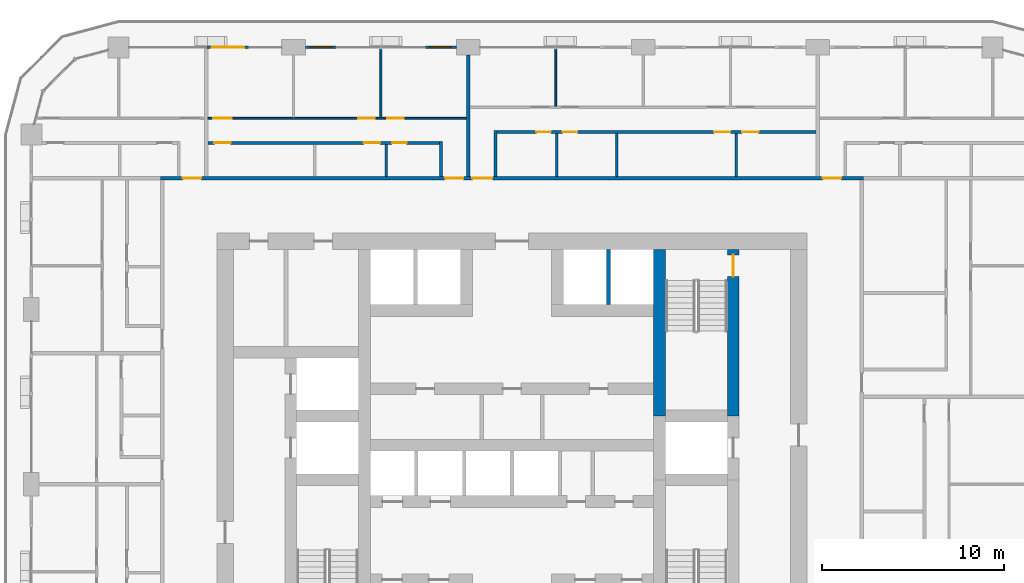
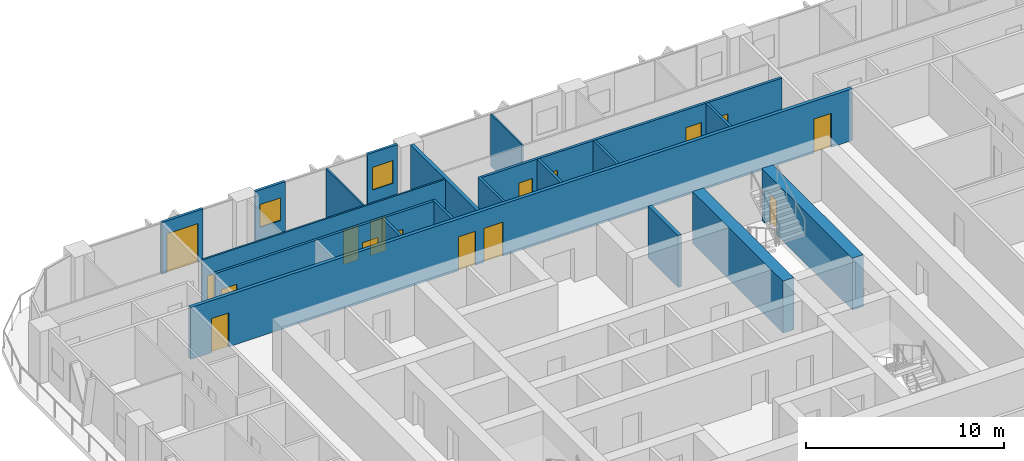
# One storey, part 14 of 22: 19 walls, 16 doors, 2 windows, 18 openings.
"""IFC4 building model written with IfcOpenShell, lengths in metres."""

from ifc_helpers import new_model, si_unit, direction, frame, frame_2d, origin, place, context, subcontext, project, spatial, rectangle, extrude, material, layer, layer_set, type_object, element, fill, save


model = new_model("IFC4")

# Units and contexts
model_context = context("Model", 3, precision=1e-05, world=origin(), true_north=direction((0.0, 1.0)))
body_context = subcontext(model_context, "Body", "Model", "MODEL_VIEW")
ifc_project = project(units=[si_unit("LENGTHUNIT", "METRE"), si_unit("AREAUNIT", "SQUARE_METRE"), si_unit("VOLUMEUNIT", "CUBIC_METRE"), si_unit("PLANEANGLEUNIT", "RADIAN"), si_unit("MASSUNIT", "GRAM", prefix="KILO")], contexts=[model_context])

# Site, building, storey
site_placement = place(None, origin())
site = spatial("IfcSite", under=ifc_project, at=site_placement, CompositionType="ELEMENT")
building_placement = place(site_placement, origin())
building = spatial("IfcBuilding", under=site, at=building_placement, Name="Madar Terraces", CompositionType="ELEMENT")
storey_placement = place(building_placement, frame((0.0, 0.0, 66.300048828125)))
storey = spatial("IfcBuildingStorey", under=building, at=storey_placement, Name="L16", CompositionType="ELEMENT", Elevation=66.300048828125)

# Wall
ifc_material_1 = material(Name="Concrete C80/95", Category="concrete")
ifc_layer_1 = layer(ifc_material_1, 0.64990234375)
ifc_layer_set_1 = layer_set([ifc_layer_1], Name="Concrete C80/95 (CIW2 RC wall 650)")
wall_type_1 = type_object("IfcWallType", Name="CIW2 RC wall 650", PredefinedType="SHEAR", material=ifc_layer_set_1)
wall_1_placement = place(storey_placement, frame((39.300048828125, 27.75, 0.0), z_axis=(0.0, 0.0, 1.0), x_axis=(0.0, 1.0, 0.0)))
element("IfcWall", 1, at=wall_1_placement, inside=storey, type_object=wall_type_1, Name="CORE SHAFT WALL", PredefinedType="SHEAR", context=body_context, shape_type="SweptSolid", body=[
    extrude(rectangle(XDim=9.14990234375, YDim=0.64990234375, at=frame_2d((4.574951171875, 0.0))), origin(), (0.0, 0.0, 1.0), 3.199951171875),
])

# Wall, opening, door
wall_2_placement = place(storey_placement, frame((43.35009765625, 27.75, 0.0), z_axis=(0.0, 0.0, 1.0), x_axis=(0.0, 1.0, 0.0)))
wall_2 = element("IfcWall", 2, at=wall_2_placement, inside=storey, type_object=wall_type_1, Name="CORE SHAFT WALL", PredefinedType="SHEAR", context=body_context, shape_type="SweptSolid", body=[
    extrude(rectangle(XDim=9.14990234375, YDim=0.64990234375, at=frame_2d((4.574951171875, 0.0))), origin(), (0.0, 0.0, 1.0), 3.199951171875),
])
opening_1_placement = place(wall_2_placement, frame((7.64990234375, 0.0, 0.0)))
opening_1 = element("IfcOpeningElement", 3, at=opening_1_placement, cuts=wall_2, Name="Opening SD1", PredefinedType="OPENING", context=body_context, shape_type="SweptSolid", body=[
    extrude(rectangle(XDim=1.199951171875, YDim=2.10009765625, at=frame_2d((0.60009765625, 1.050048828125))), frame((0.0, 0.3349609375, 0.0), z_axis=(0.0, -1.0, 0.0), x_axis=(1.0, 0.0, 0.0)), (0.0, 0.0, 1.0), 0.669921875),
])
ifc_material_2 = material(Name="Steel door leaf", Category="steel")
door_type_1 = type_object("IfcDoorType", Name="Stair door 1200 x 2100", OperationType="NOTDEFINED", PredefinedType="DOOR", material=ifc_material_2)
door_1_placement = place(opening_1_placement, origin())
door_1 = element("IfcDoor", 4, at=door_1_placement, inside=storey, type_object=door_type_1, Name="STAIR DOOR", OperationType="SINGLE_SWING_RIGHT", OverallHeight=2.10009765625, OverallWidth=1.199951171875, PredefinedType="DOOR", context=body_context, shape_type="SweptSolid", body=[
    extrude(rectangle(XDim=1.199951171875, YDim=2.10009765625, at=frame_2d((0.60009765625, 1.050048828125))), frame((0.0, 0.02490234375, 0.0), z_axis=(0.0, -1.0, 0.0), x_axis=(1.0, 0.0, 0.0)), (0.0, 0.0, 1.0), 0.050048828125),
])
fill(opening_1, door_1)

# Wall
ifc_material_3 = material(Name="Concrete C40/50", Category="concrete")
ifc_layer_2 = layer(ifc_material_3, 0.199951171875)
ifc_layer_set_2 = layer_set([ifc_layer_2], Name="Core shaft dividing wall 200 C40/50")
wall_type_2 = type_object("IfcWallType", Name="Core shaft dividing wall 200 C40/50", PredefinedType="SOLIDWALL", material=ifc_layer_set_2)
wall_3_placement = place(storey_placement, frame((36.5, 33.875, 0.0), z_axis=(0.0, 0.0, 1.0), x_axis=(0.0, 1.0, 0.0)))
element("IfcWall", 5, at=wall_3_placement, inside=storey, type_object=wall_type_2, Name="SHAFT DIVIDING WALL", PredefinedType="SOLIDWALL", context=body_context, shape_type="SweptSolid", body=[
    extrude(rectangle(XDim=3.02490234375, YDim=0.199951171875, at=frame_2d((1.512451171875, 0.0))), origin(), (0.0, 0.0, 1.0), 3.199951171875),
])

# Wall, opening, window
ifc_material_4 = material(Name="Aluminium composite panel, black, over insulated backing", Category="aluminium")
ifc_layer_3 = layer(ifc_material_4, 0.14990234375)
ifc_layer_set_3 = layer_set([ifc_layer_3], Name="Facade bay panel 150")
wall_type_3 = type_object("IfcWallType", Name="Facade bay panel 150", PredefinedType="SOLIDWALL", material=ifc_layer_set_3)
wall_4_placement = place(storey_placement, frame((28.14990234375, 48.0, 0.0), z_axis=(0.0, 0.0, 1.0), x_axis=(-1.0, 0.0, 0.0)))
wall_4 = element("IfcWall", 6, at=wall_4_placement, inside=storey, type_object=wall_type_3, Name="Facade bay panel", PredefinedType="SOLIDWALL", context=body_context, shape_type="SweptSolid", body=[
    extrude(rectangle(XDim=1.75, YDim=0.14990234375, at=frame_2d((0.875, 0.0))), origin(), (0.0, 0.0, 1.0), 3.199951171875),
])
opening_2_placement = place(wall_4_placement, frame((0.27490234375, 0.0, 0.89990234375)))
opening_2 = element("IfcOpeningElement", 7, at=opening_2_placement, cuts=wall_4, Name="Opening W1", PredefinedType="OPENING", context=body_context, shape_type="SweptSolid", body=[
    extrude(rectangle(XDim=1.199951171875, YDim=1.39990234375, at=frame_2d((0.60009765625, 0.699951171875))), frame((0.0, 0.0849609375, 0.0), z_axis=(0.0, -1.0, 0.0), x_axis=(1.0, 0.0, 0.0)), (0.0, 0.0, 1.0), 0.169921875),
])
ifc_material_5 = material(Name="Glass, clear, with black aluminium frame", Category="aluminium")
window_type = type_object("IfcWindowType", Name="Vent window 1200 x 1400", PartitioningType="SINGLE_PANEL", PredefinedType="WINDOW", material=ifc_material_5)
window_1_placement = place(opening_2_placement, origin())
window_1 = element("IfcWindow", 8, at=window_1_placement, inside=storey, type_object=window_type, Name="Operable vent window", OverallHeight=1.39990234375, OverallWidth=1.199951171875, PartitioningType="SINGLE_PANEL", PredefinedType="WINDOW", context=body_context, shape_type="SweptSolid", body=[
    extrude(rectangle(XDim=1.199951171875, YDim=1.39990234375, at=frame_2d((0.60009765625, 0.699951171875))), frame((0.0, 0.030029296875, 0.0), z_axis=(0.0, -1.0, 0.0), x_axis=(1.0, 0.0, 0.0)), (0.0, 0.0, 1.0), 0.06005859375),
])
fill(opening_2, window_1)

wall_5_placement = place(storey_placement, frame((21.60009765625, 48.0, 0.0), z_axis=(0.0, 0.0, 1.0), x_axis=(-1.0, 0.0, 0.0)))
wall_5 = element("IfcWall", 9, at=wall_5_placement, inside=storey, type_object=wall_type_3, Name="Facade bay panel", PredefinedType="SOLIDWALL", context=body_context, shape_type="SweptSolid", body=[
    extrude(rectangle(XDim=1.75, YDim=0.14990234375, at=frame_2d((0.875, 0.0))), origin(), (0.0, 0.0, 1.0), 3.199951171875),
])
opening_3_placement = place(wall_5_placement, frame((0.27490234375, 0.0, 0.89990234375)))
opening_3 = element("IfcOpeningElement", 10, at=opening_3_placement, cuts=wall_5, Name="Opening W1", PredefinedType="OPENING", context=body_context, shape_type="SweptSolid", body=[
    extrude(rectangle(XDim=1.199951171875, YDim=1.39990234375, at=frame_2d((0.60009765625, 0.699951171875))), frame((0.0, 0.0849609375, 0.0), z_axis=(0.0, -1.0, 0.0), x_axis=(1.0, 0.0, 0.0)), (0.0, 0.0, 1.0), 0.169921875),
])
window_2_placement = place(opening_3_placement, origin())
window_2 = element("IfcWindow", 11, at=window_2_placement, inside=storey, type_object=window_type, Name="Operable vent window", OverallHeight=1.39990234375, OverallWidth=1.199951171875, PartitioningType="SINGLE_PANEL", PredefinedType="WINDOW", context=body_context, shape_type="SweptSolid", body=[
    extrude(rectangle(XDim=1.199951171875, YDim=1.39990234375, at=frame_2d((0.60009765625, 0.699951171875))), frame((0.0, 0.030029296875, 0.0), z_axis=(0.0, -1.0, 0.0), x_axis=(1.0, 0.0, 0.0)), (0.0, 0.0, 1.0), 0.06005859375),
])
fill(opening_3, window_2)

# Wall, opening, door
wall_6_placement = place(storey_placement, frame((16.800048828125, 48.0, 0.0), z_axis=(0.0, 0.0, 1.0), x_axis=(-1.0, 0.0, 0.0)))
wall_6 = element("IfcWall", 12, at=wall_6_placement, inside=storey, type_object=wall_type_3, Name="Facade bay panel", PredefinedType="SOLIDWALL", context=body_context, shape_type="SweptSolid", body=[
    extrude(rectangle(XDim=2.400146484375, YDim=0.14990234375, at=frame_2d((1.2001953125, 0.0))), origin(), (0.0, 0.0, 1.0), 3.199951171875),
])
opening_4_placement = place(wall_6_placement, frame((0.300048828125, 0.0, 0.0)))
opening_4 = element("IfcOpeningElement", 13, at=opening_4_placement, cuts=wall_6, Name="Opening ED1", PredefinedType="OPENING", context=body_context, shape_type="SweptSolid", body=[
    extrude(rectangle(XDim=1.800048828125, YDim=2.39990234375, at=frame_2d((0.89990234375, 1.199951171875))), frame((0.0, 0.0849609375, 0.0), z_axis=(0.0, -1.0, 0.0), x_axis=(1.0, 0.0, 0.0)), (0.0, 0.0, 1.0), 0.169921875),
])
ifc_material_6 = material(Name="Glass, clear, with black aluminium frame", Category="aluminium")
door_type_2 = type_object("IfcDoorType", Name="Balcony and terrace sliding door 1800 x 2400", OperationType="SLIDING_TO_LEFT", PredefinedType="DOOR", material=ifc_material_6)
door_2_placement = place(opening_4_placement, origin())
door_2 = element("IfcDoor", 14, at=door_2_placement, inside=storey, type_object=door_type_2, Name="Balcony door", OperationType="SLIDING_TO_LEFT", OverallHeight=2.39990234375, OverallWidth=1.800048828125, PredefinedType="DOOR", context=body_context, shape_type="SweptSolid", body=[
    extrude(rectangle(XDim=1.800048828125, YDim=2.39990234375, at=frame_2d((0.89990234375, 1.199951171875))), frame((0.0, 0.02490234375, 0.0), z_axis=(0.0, -1.0, 0.0), x_axis=(1.0, 0.0, 0.0)), (0.0, 0.0, 1.0), 0.050048828125),
])
fill(opening_4, door_2)

# Walls
ifc_material_7 = material(Name="Gypsum board on steel studs", Category="steel")
ifc_layer_4 = layer(ifc_material_7, 0.10009765625)
ifc_layer_set_4 = layer_set([ifc_layer_4], Name="Flat partition 100")
wall_type_4 = type_object("IfcWallType", Name="Flat partition 100", PredefinedType="PARTITIONING", material=ifc_layer_set_4)
wall_7_placement = place(storey_placement, frame((33.60009765625, 44.75, 0.0), z_axis=(0.0, 0.0, 1.0), x_axis=(0.0, 1.0, 0.0)))
element("IfcWall", 15, at=wall_7_placement, inside=storey, type_object=wall_type_4, Name="Flat partition 100", PredefinedType="PARTITIONING", context=body_context, shape_type="SweptSolid", body=[
    extrude(rectangle(XDim=3.14990234375, YDim=0.10009765625, at=frame_2d((1.574951171875, 0.0))), origin(), (0.0, 0.0, 1.0), 3.199951171875),
])
wall_8_placement = place(storey_placement, frame((24.0, 44.14990234375, 0.0), z_axis=(0.0, 0.0, 1.0), x_axis=(0.0, 1.0, 0.0)))
element("IfcWall", 16, at=wall_8_placement, inside=storey, type_object=wall_type_4, Name="Flat partition 100", PredefinedType="PARTITIONING", context=body_context, shape_type="SweptSolid", body=[
    extrude(rectangle(XDim=3.75, YDim=0.10009765625, at=frame_2d((1.875, 0.0))), origin(), (0.0, 0.0, 1.0), 3.199951171875),
])

# Wall, openings, doors
wall_9_placement = place(storey_placement, frame((14.5, 44.10009765625, 0.0), z_axis=(0.0, 0.0, 1.0), x_axis=(1.0, 0.0, 0.0)))
wall_9 = element("IfcWall", 17, at=wall_9_placement, inside=storey, type_object=wall_type_4, Name="Flat partition 100", PredefinedType="PARTITIONING", context=body_context, shape_type="SweptSolid", body=[
    extrude(rectangle(XDim=14.199951171875, YDim=0.10009765625, at=frame_2d((7.10009765625, 0.0))), origin(), (0.0, 0.0, 1.0), 3.199951171875),
])
opening_5_placement = place(wall_9_placement, frame((9.85009765625, 0.0, 0.0)))
opening_5 = element("IfcOpeningElement", 18, at=opening_5_placement, cuts=wall_9, Name="Opening D2", PredefinedType="OPENING", context=body_context, shape_type="SweptSolid", body=[
    extrude(rectangle(XDim=0.89990234375, YDim=2.10009765625, at=frame_2d((0.449951171875, 1.050048828125))), frame((0.0, 0.06005859375, 0.0), z_axis=(0.0, -1.0, 0.0), x_axis=(1.0, 0.0, 0.0)), (0.0, 0.0, 1.0), 0.1201171875),
])
opening_6_placement = place(wall_9_placement, frame((8.25, 0.0, 0.0)))
opening_6 = element("IfcOpeningElement", 19, at=opening_6_placement, cuts=wall_9, Name="Opening D2", PredefinedType="OPENING", context=body_context, shape_type="SweptSolid", body=[
    extrude(rectangle(XDim=0.89990234375, YDim=2.10009765625, at=frame_2d((0.449951171875, 1.050048828125))), frame((0.0, 0.06005859375, 0.0), z_axis=(0.0, -1.0, 0.0), x_axis=(1.0, 0.0, 0.0)), (0.0, 0.0, 1.0), 0.1201171875),
])
opening_7_placement = place(wall_9_placement, frame((0.300048828125, 0.0, 0.0)))
opening_7 = element("IfcOpeningElement", 20, at=opening_7_placement, cuts=wall_9, Name="Opening D3", PredefinedType="OPENING", context=body_context, shape_type="SweptSolid", body=[
    extrude(rectangle(XDim=1.0, YDim=2.10009765625, at=frame_2d((0.5, 1.050048828125))), frame((0.0, 0.06005859375, 0.0), z_axis=(0.0, -1.0, 0.0), x_axis=(1.0, 0.0, 0.0)), (0.0, 0.0, 1.0), 0.1201171875),
])
ifc_material_8 = material(Name="Timber door leaf", Category="wood")
door_type_3 = type_object("IfcDoorType", Name="Flat living room door 1000", OperationType="NOTDEFINED", PredefinedType="DOOR", material=ifc_material_8)
door_3_placement = place(opening_7_placement, origin())
door_3 = element("IfcDoor", 21, at=door_3_placement, inside=storey, type_object=door_type_3, Name="Flat living room door 1000", OperationType="SINGLE_SWING_LEFT", OverallHeight=2.10009765625, OverallWidth=1.0, PredefinedType="DOOR", context=body_context, shape_type="SweptSolid", body=[
    extrude(rectangle(XDim=1.0, YDim=2.10009765625, at=frame_2d((0.5, 1.050048828125))), frame((0.0, 0.02490234375, 0.0), z_axis=(0.0, -1.0, 0.0), x_axis=(1.0, 0.0, 0.0)), (0.0, 0.0, 1.0), 0.050048828125),
])
fill(opening_7, door_3)
ifc_material_9 = material(Name="Timber door leaf", Category="wood")
door_type_4 = type_object("IfcDoorType", Name="Flat room door 900", OperationType="NOTDEFINED", PredefinedType="DOOR", material=ifc_material_9)
door_4_placement = place(opening_5_placement, origin())
door_4 = element("IfcDoor", 22, at=door_4_placement, inside=storey, type_object=door_type_4, Name="Flat room door 900", OperationType="SINGLE_SWING_LEFT", OverallHeight=2.10009765625, OverallWidth=0.89990234375, PredefinedType="DOOR", context=body_context, shape_type="SweptSolid", body=[
    extrude(rectangle(XDim=0.89990234375, YDim=2.10009765625, at=frame_2d((0.449951171875, 1.050048828125))), frame((0.0, 0.02490234375, 0.0), z_axis=(0.0, -1.0, 0.0), x_axis=(1.0, 0.0, 0.0)), (0.0, 0.0, 1.0), 0.050048828125),
])
fill(opening_5, door_4)
door_5_placement = place(opening_6_placement, origin())
door_5 = element("IfcDoor", 23, at=door_5_placement, inside=storey, type_object=door_type_4, Name="Flat room door 900", OperationType="SINGLE_SWING_RIGHT", OverallHeight=2.10009765625, OverallWidth=0.89990234375, PredefinedType="DOOR", context=body_context, shape_type="SweptSolid", body=[
    extrude(rectangle(XDim=0.89990234375, YDim=2.10009765625, at=frame_2d((0.449951171875, 1.050048828125))), frame((0.0, 0.02490234375, 0.0), z_axis=(0.0, -1.0, 0.0), x_axis=(1.0, 0.0, 0.0)), (0.0, 0.0, 1.0), 0.050048828125),
])
fill(opening_6, door_5)

ifc_material_10 = material(Name="Lightweight blockwork", Category="masonry")
ifc_layer_5 = layer(ifc_material_10, 0.199951171875)
ifc_layer_set_5 = layer_set([ifc_layer_5], Name="Flat party and entrance wall 200")
wall_type_5 = type_object("IfcWallType", Name="Flat party and entrance wall 200", PredefinedType="PARTITIONING", material=ifc_layer_set_5)
wall_10_placement = place(storey_placement, frame((11.89990234375, 40.800048828125, 0.0), z_axis=(0.0, 0.0, 1.0), x_axis=(1.0, 0.0, 0.0)))
wall_10 = element("IfcWall", 24, at=wall_10_placement, inside=storey, type_object=wall_type_5, Name="Flat party and entrance wall 200", PredefinedType="PARTITIONING", context=body_context, shape_type="SweptSolid", body=[
    extrude(rectangle(XDim=38.60009765625, YDim=0.199951171875, at=frame_2d((19.300048828125, 0.0))), origin(), (0.0, 0.0, 1.0), 3.199951171875),
])
opening_8_placement = place(wall_10_placement, frame((36.375, 0.0, 0.0)))
opening_8 = element("IfcOpeningElement", 25, at=opening_8_placement, cuts=wall_10, Name="Opening D1", PredefinedType="OPENING", context=body_context, shape_type="SweptSolid", body=[
    extrude(rectangle(XDim=1.0, YDim=2.10009765625, at=frame_2d((0.5, 1.050048828125))), frame((0.0, 0.10986328125, 0.0), z_axis=(0.0, -1.0, 0.0), x_axis=(1.0, 0.0, 0.0)), (0.0, 0.0, 1.0), 0.219970703125),
])
opening_9_placement = place(wall_10_placement, frame((17.125, 0.0, 0.0)))
opening_9 = element("IfcOpeningElement", 26, at=opening_9_placement, cuts=wall_10, Name="Opening D6", PredefinedType="OPENING", context=body_context, shape_type="SweptSolid", body=[
    extrude(rectangle(XDim=1.10009765625, YDim=2.10009765625, at=frame_2d((0.550048828125, 1.050048828125))), frame((0.0, 0.10986328125, 0.0), z_axis=(0.0, -1.0, 0.0), x_axis=(1.0, 0.0, 0.0)), (0.0, 0.0, 1.0), 0.219970703125),
])
opening_10_placement = place(wall_10_placement, frame((15.625, 0.0, 0.0)))
opening_10 = element("IfcOpeningElement", 27, at=opening_10_placement, cuts=wall_10, Name="Opening D1", PredefinedType="OPENING", context=body_context, shape_type="SweptSolid", body=[
    extrude(rectangle(XDim=1.0, YDim=2.10009765625, at=frame_2d((0.5, 1.050048828125))), frame((0.0, 0.10986328125, 0.0), z_axis=(0.0, -1.0, 0.0), x_axis=(1.0, 0.0, 0.0)), (0.0, 0.0, 1.0), 0.219970703125),
])
opening_11_placement = place(wall_10_placement, frame((1.22509765625, 0.0, 0.0)))
opening_11 = element("IfcOpeningElement", 28, at=opening_11_placement, cuts=wall_10, Name="Opening D1", PredefinedType="OPENING", context=body_context, shape_type="SweptSolid", body=[
    extrude(rectangle(XDim=1.0, YDim=2.10009765625, at=frame_2d((0.5, 1.050048828125))), frame((0.0, 0.10986328125, 0.0), z_axis=(0.0, -1.0, 0.0), x_axis=(1.0, 0.0, 0.0)), (0.0, 0.0, 1.0), 0.219970703125),
])
ifc_material_11 = material(Name="Timber fire door leaf", Category="wood")
door_type_5 = type_object("IfcDoorType", Name="Flat entrance door 1000 FD30S", OperationType="NOTDEFINED", PredefinedType="DOOR", material=ifc_material_11)
door_6_placement = place(opening_8_placement, origin())
door_6 = element("IfcDoor", 29, at=door_6_placement, inside=storey, type_object=door_type_5, Name="Flat entrance door 1000 FD30S", OperationType="SINGLE_SWING_LEFT", OverallHeight=2.10009765625, OverallWidth=1.0, PredefinedType="DOOR", context=body_context, shape_type="SweptSolid", body=[
    extrude(rectangle(XDim=1.0, YDim=2.10009765625, at=frame_2d((0.5, 1.050048828125))), frame((0.0, 0.02490234375, 0.0), z_axis=(0.0, -1.0, 0.0), x_axis=(1.0, 0.0, 0.0)), (0.0, 0.0, 1.0), 0.050048828125),
])
fill(opening_8, door_6)
door_7_placement = place(opening_10_placement, origin())
door_7 = element("IfcDoor", 30, at=door_7_placement, inside=storey, type_object=door_type_5, Name="Flat entrance door 1000 FD30S", OperationType="SINGLE_SWING_RIGHT", OverallHeight=2.10009765625, OverallWidth=1.0, PredefinedType="DOOR", context=body_context, shape_type="SweptSolid", body=[
    extrude(rectangle(XDim=1.0, YDim=2.10009765625, at=frame_2d((0.5, 1.050048828125))), frame((0.0, 0.02490234375, 0.0), z_axis=(0.0, -1.0, 0.0), x_axis=(1.0, 0.0, 0.0)), (0.0, 0.0, 1.0), 0.050048828125),
])
fill(opening_10, door_7)
door_8_placement = place(opening_11_placement, origin())
door_8 = element("IfcDoor", 31, at=door_8_placement, inside=storey, type_object=door_type_5, Name="Flat entrance door 1000 FD30S", OperationType="SINGLE_SWING_RIGHT", OverallHeight=2.10009765625, OverallWidth=1.0, PredefinedType="DOOR", context=body_context, shape_type="SweptSolid", body=[
    extrude(rectangle(XDim=1.0, YDim=2.10009765625, at=frame_2d((0.5, 1.050048828125))), frame((0.0, 0.02490234375, 0.0), z_axis=(0.0, -1.0, 0.0), x_axis=(1.0, 0.0, 0.0)), (0.0, 0.0, 1.0), 0.050048828125),
])
fill(opening_11, door_8)
ifc_material_12 = material(Name="Timber fire door leaf", Category="wood")
door_type_6 = type_object("IfcDoorType", Name="Flat entrance door 1100 FD30S", OperationType="NOTDEFINED", PredefinedType="DOOR", material=ifc_material_12)
door_9_placement = place(opening_9_placement, origin())
door_9 = element("IfcDoor", 32, at=door_9_placement, inside=storey, type_object=door_type_6, Name="Flat entrance door 1100 FD30S", OperationType="SINGLE_SWING_LEFT", OverallHeight=2.10009765625, OverallWidth=1.10009765625, PredefinedType="DOOR", context=body_context, shape_type="SweptSolid", body=[
    extrude(rectangle(XDim=1.10009765625, YDim=2.10009765625, at=frame_2d((0.550048828125, 1.050048828125))), frame((0.0, 0.02490234375, 0.0), z_axis=(0.0, -1.0, 0.0), x_axis=(1.0, 0.0, 0.0)), (0.0, 0.0, 1.0), 0.050048828125),
])
fill(opening_9, door_9)

# Walls
wall_11_placement = place(storey_placement, frame((28.800048828125, 47.574951171875, 0.0), z_axis=(0.0, 0.0, 1.0), x_axis=(0.0, -1.0, 0.0)))
element("IfcWall", 33, at=wall_11_placement, inside=storey, type_object=wall_type_5, Name="Flat party and entrance wall 200", PredefinedType="PARTITIONING", context=body_context, shape_type="SweptSolid", body=[
    extrude(rectangle(XDim=6.675048828125, YDim=0.199951171875, at=frame_2d((3.33740234375, 0.0))), origin(), (0.0, 0.0, 1.0), 3.199951171875),
])
ifc_material_13 = material(Name="Lightweight blockwork", Category="masonry")
ifc_layer_6 = layer(ifc_material_13, 0.14990234375)
ifc_layer_set_6 = layer_set([ifc_layer_6], Name="Flat wet-room partition 150")
wall_type_6 = type_object("IfcWallType", Name="Flat wet-room partition 150", PredefinedType="PARTITIONING", material=ifc_layer_set_6)
for number, where, z_axis, x_axis, name in (
    (34, (33.660888671875, 40.89990234375, 0.0), (0.0, 0.0, 1.0), (0.0, 1.0, 0.0), "Flat wet-room partition 150"),
    (35, (36.94677734375, 40.89990234375, 0.0), (0.0, 0.0, 1.0), (0.0, 1.0, 0.0), "Flat wet-room partition 150"),
    (36, (43.518798828125, 40.89990234375, 0.0), (0.0, 0.0, 1.0), (0.0, 1.0, 0.0), "Flat wet-room partition 150"),
):
    element("IfcWall", number, at=place(storey_placement, frame(where, z_axis=z_axis, x_axis=x_axis)), inside=storey, type_object=wall_type_6, Name=name, PredefinedType="PARTITIONING", context=body_context, shape_type="SweptSolid", body=[
        extrude(rectangle(XDim=2.375, YDim=0.14990234375, at=frame_2d((1.1875, 0.0))), origin(), (0.0, 0.0, 1.0), 3.199951171875),
    ])
wall_12_placement = place(storey_placement, frame((30.300048828125, 40.89990234375, 0.0), z_axis=(0.0, 0.0, 1.0), x_axis=(0.0, 1.0, 0.0)))
element("IfcWall", 37, at=wall_12_placement, inside=storey, type_object=wall_type_6, Name="Flat wet-room partition 150", PredefinedType="PARTITIONING", context=body_context, shape_type="SweptSolid", body=[
    extrude(rectangle(XDim=2.525146484375, YDim=0.14990234375, at=frame_2d((1.2626953125, 0.0))), origin(), (0.0, 0.0, 1.0), 3.199951171875),
])

# Wall, openings, doors
wall_13_placement = place(storey_placement, frame((47.89990234375, 43.35009765625, 0.0), z_axis=(0.0, 0.0, 1.0), x_axis=(-1.0, 0.0, 0.0)))
wall_13 = element("IfcWall", 38, at=wall_13_placement, inside=storey, type_object=wall_type_6, Name="Flat wet-room partition 150", PredefinedType="PARTITIONING", context=body_context, shape_type="SweptSolid", body=[
    extrude(rectangle(XDim=17.52490234375, YDim=0.14990234375, at=frame_2d((8.762451171875, 0.0))), origin(), (0.0, 0.0, 1.0), 3.199951171875),
])
opening_12_placement = place(wall_13_placement, frame((14.564208984375, 0.0, 0.0)))
opening_12 = element("IfcOpeningElement", 39, at=opening_12_placement, cuts=wall_13, Name="Opening D4", PredefinedType="OPENING", context=body_context, shape_type="SweptSolid", body=[
    extrude(rectangle(XDim=0.800048828125, YDim=2.10009765625, at=frame_2d((0.39990234375, 1.050048828125))), frame((0.0, 0.0849609375, 0.0), z_axis=(0.0, -1.0, 0.0), x_axis=(1.0, 0.0, 0.0)), (0.0, 0.0, 1.0), 0.169921875),
])
opening_13_placement = place(wall_13_placement, frame((13.114013671875, 0.0, 0.0)))
opening_13 = element("IfcOpeningElement", 40, at=opening_13_placement, cuts=wall_13, Name="Opening D7", PredefinedType="OPENING", context=body_context, shape_type="SweptSolid", body=[
    extrude(rectangle(XDim=0.800048828125, YDim=2.10009765625, at=frame_2d((0.39990234375, 1.050048828125))), frame((0.0, 0.0849609375, 0.0), z_axis=(0.0, -1.0, 0.0), x_axis=(1.0, 0.0, 0.0)), (0.0, 0.0, 1.0), 0.169921875),
])
opening_14_placement = place(wall_13_placement, frame((4.706298828125, 0.0, 0.0)))
opening_14 = element("IfcOpeningElement", 41, at=opening_14_placement, cuts=wall_13, Name="Opening D2", PredefinedType="OPENING", context=body_context, shape_type="SweptSolid", body=[
    extrude(rectangle(XDim=0.89990234375, YDim=2.10009765625, at=frame_2d((0.449951171875, 1.050048828125))), frame((0.0, 0.0849609375, 0.0), z_axis=(0.0, -1.0, 0.0), x_axis=(1.0, 0.0, 0.0)), (0.0, 0.0, 1.0), 0.169921875),
])
opening_15_placement = place(wall_13_placement, frame((3.15625, 0.0, 0.0)))
opening_15 = element("IfcOpeningElement", 42, at=opening_15_placement, cuts=wall_13, Name="Opening D5", PredefinedType="OPENING", context=body_context, shape_type="SweptSolid", body=[
    extrude(rectangle(XDim=0.89990234375, YDim=2.10009765625, at=frame_2d((0.449951171875, 1.050048828125))), frame((0.0, 0.0849609375, 0.0), z_axis=(0.0, -1.0, 0.0), x_axis=(1.0, 0.0, 0.0)), (0.0, 0.0, 1.0), 0.169921875),
])
ifc_material_14 = material(Name="Timber door leaf", Category="wood")
door_type_7 = type_object("IfcDoorType", Name="Flat accessible bathroom door 900", OperationType="NOTDEFINED", PredefinedType="DOOR", material=ifc_material_14)
door_10_placement = place(opening_15_placement, origin())
door_10 = element("IfcDoor", 43, at=door_10_placement, inside=storey, type_object=door_type_7, Name="Flat accessible bathroom door 900", OperationType="SINGLE_SWING_RIGHT", OverallHeight=2.10009765625, OverallWidth=0.89990234375, PredefinedType="DOOR", context=body_context, shape_type="SweptSolid", body=[
    extrude(rectangle(XDim=0.89990234375, YDim=2.10009765625, at=frame_2d((0.449951171875, 1.050048828125))), frame((0.0, 0.02490234375, 0.0), z_axis=(0.0, -1.0, 0.0), x_axis=(1.0, 0.0, 0.0)), (0.0, 0.0, 1.0), 0.050048828125),
])
fill(opening_15, door_10)
ifc_material_15 = material(Name="Timber door leaf", Category="wood")
door_type_8 = type_object("IfcDoorType", Name="Flat bathroom door 800", OperationType="NOTDEFINED", PredefinedType="DOOR", material=ifc_material_15)
door_11_placement = place(opening_12_placement, origin())
door_11 = element("IfcDoor", 44, at=door_11_placement, inside=storey, type_object=door_type_8, Name="Flat bathroom door 800", OperationType="SINGLE_SWING_LEFT", OverallHeight=2.10009765625, OverallWidth=0.800048828125, PredefinedType="DOOR", context=body_context, shape_type="SweptSolid", body=[
    extrude(rectangle(XDim=0.800048828125, YDim=2.10009765625, at=frame_2d((0.39990234375, 1.050048828125))), frame((0.0, 0.02490234375, 0.0), z_axis=(0.0, -1.0, 0.0), x_axis=(1.0, 0.0, 0.0)), (0.0, 0.0, 1.0), 0.050048828125),
])
fill(opening_12, door_11)
door_12_placement = place(opening_14_placement, origin())
door_12 = element("IfcDoor", 45, at=door_12_placement, inside=storey, type_object=door_type_4, Name="Flat room door 900", OperationType="SINGLE_SWING_LEFT", OverallHeight=2.10009765625, OverallWidth=0.89990234375, PredefinedType="DOOR", context=body_context, shape_type="SweptSolid", body=[
    extrude(rectangle(XDim=0.89990234375, YDim=2.10009765625, at=frame_2d((0.449951171875, 1.050048828125))), frame((0.0, 0.02490234375, 0.0), z_axis=(0.0, -1.0, 0.0), x_axis=(1.0, 0.0, 0.0)), (0.0, 0.0, 1.0), 0.050048828125),
])
fill(opening_14, door_12)
ifc_material_16 = material(Name="Timber door leaf", Category="wood")
door_type_9 = type_object("IfcDoorType", Name="Flat utility door 800", OperationType="NOTDEFINED", PredefinedType="DOOR", material=ifc_material_16)
door_13_placement = place(opening_13_placement, origin())
door_13 = element("IfcDoor", 46, at=door_13_placement, inside=storey, type_object=door_type_9, Name="Flat utility door 800", OperationType="SINGLE_SWING_RIGHT", OverallHeight=2.10009765625, OverallWidth=0.800048828125, PredefinedType="DOOR", context=body_context, shape_type="SweptSolid", body=[
    extrude(rectangle(XDim=0.800048828125, YDim=2.10009765625, at=frame_2d((0.39990234375, 1.050048828125))), frame((0.0, 0.02490234375, 0.0), z_axis=(0.0, -1.0, 0.0), x_axis=(1.0, 0.0, 0.0)), (0.0, 0.0, 1.0), 0.050048828125),
])
fill(opening_13, door_13)

# Walls
wall_14_placement = place(storey_placement, frame((24.28857421875, 40.89990234375, 0.0), z_axis=(0.0, 0.0, 1.0), x_axis=(0.0, 1.0, 0.0)))
element("IfcWall", 47, at=wall_14_placement, inside=storey, type_object=wall_type_6, Name="Flat wet-room partition 150", PredefinedType="PARTITIONING", context=body_context, shape_type="SweptSolid", body=[
    extrude(rectangle(XDim=1.775146484375, YDim=0.14990234375, at=frame_2d((0.8876953125, 0.0))), origin(), (0.0, 0.0, 1.0), 3.199951171875),
])
wall_15_placement = place(storey_placement, frame((27.300048828125, 40.89990234375, 0.0), z_axis=(0.0, 0.0, 1.0), x_axis=(0.0, 1.0, 0.0)))
element("IfcWall", 48, at=wall_15_placement, inside=storey, type_object=wall_type_6, Name="Flat wet-room partition 150", PredefinedType="PARTITIONING", context=body_context, shape_type="SweptSolid", body=[
    extrude(rectangle(XDim=1.925048828125, YDim=0.14990234375, at=frame_2d((0.96240234375, 0.0))), origin(), (0.0, 0.0, 1.0), 3.199951171875),
])

# Wall, openings, doors
wall_16_placement = place(storey_placement, frame((27.22509765625, 42.75, 0.0), z_axis=(0.0, 0.0, 1.0), x_axis=(-1.0, 0.0, 0.0)))
wall_16 = element("IfcWall", 49, at=wall_16_placement, inside=storey, type_object=wall_type_6, Name="Flat wet-room partition 150", PredefinedType="PARTITIONING", context=body_context, shape_type="SweptSolid", body=[
    extrude(rectangle(XDim=12.72509765625, YDim=0.14990234375, at=frame_2d((6.362548828125, 0.0))), origin(), (0.0, 0.0, 1.0), 3.199951171875),
])
opening_16_placement = place(wall_16_placement, frame((1.8115234375, 0.0, 0.0)))
opening_16 = element("IfcOpeningElement", 50, at=opening_16_placement, cuts=wall_16, Name="Opening D4", PredefinedType="OPENING", context=body_context, shape_type="SweptSolid", body=[
    extrude(rectangle(XDim=0.800048828125, YDim=2.10009765625, at=frame_2d((0.39990234375, 1.050048828125))), frame((0.0, 0.0849609375, 0.0), z_axis=(0.0, -1.0, 0.0), x_axis=(1.0, 0.0, 0.0)), (0.0, 0.0, 1.0), 0.169921875),
])
opening_17_placement = place(wall_16_placement, frame((3.261474609375, 0.0, 0.0)))
opening_17 = element("IfcOpeningElement", 51, at=opening_17_placement, cuts=wall_16, Name="Opening D5", PredefinedType="OPENING", context=body_context, shape_type="SweptSolid", body=[
    extrude(rectangle(XDim=0.89990234375, YDim=2.10009765625, at=frame_2d((0.449951171875, 1.050048828125))), frame((0.0, 0.0849609375, 0.0), z_axis=(0.0, -1.0, 0.0), x_axis=(1.0, 0.0, 0.0)), (0.0, 0.0, 1.0), 0.169921875),
])
opening_18_placement = place(wall_16_placement, frame((11.47509765625, 0.0, 0.0)))
opening_18 = element("IfcOpeningElement", 52, at=opening_18_placement, cuts=wall_16, Name="Opening D2", PredefinedType="OPENING", context=body_context, shape_type="SweptSolid", body=[
    extrude(rectangle(XDim=0.89990234375, YDim=2.10009765625, at=frame_2d((0.449951171875, 1.050048828125))), frame((0.0, 0.0849609375, 0.0), z_axis=(0.0, -1.0, 0.0), x_axis=(1.0, 0.0, 0.0)), (0.0, 0.0, 1.0), 0.169921875),
])
door_14_placement = place(opening_17_placement, origin())
door_14 = element("IfcDoor", 53, at=door_14_placement, inside=storey, type_object=door_type_7, Name="Flat accessible bathroom door 900", OperationType="SINGLE_SWING_LEFT", OverallHeight=2.10009765625, OverallWidth=0.89990234375, PredefinedType="DOOR", context=body_context, shape_type="SweptSolid", body=[
    extrude(rectangle(XDim=0.89990234375, YDim=2.10009765625, at=frame_2d((0.449951171875, 1.050048828125))), frame((0.0, 0.02490234375, 0.0), z_axis=(0.0, -1.0, 0.0), x_axis=(1.0, 0.0, 0.0)), (0.0, 0.0, 1.0), 0.050048828125),
])
fill(opening_17, door_14)
door_15_placement = place(opening_16_placement, origin())
door_15 = element("IfcDoor", 54, at=door_15_placement, inside=storey, type_object=door_type_8, Name="Flat bathroom door 800", OperationType="SINGLE_SWING_RIGHT", OverallHeight=2.10009765625, OverallWidth=0.800048828125, PredefinedType="DOOR", context=body_context, shape_type="SweptSolid", body=[
    extrude(rectangle(XDim=0.800048828125, YDim=2.10009765625, at=frame_2d((0.39990234375, 1.050048828125))), frame((0.0, 0.02490234375, 0.0), z_axis=(0.0, -1.0, 0.0), x_axis=(1.0, 0.0, 0.0)), (0.0, 0.0, 1.0), 0.050048828125),
])
fill(opening_16, door_15)
door_16_placement = place(opening_18_placement, origin())
door_16 = element("IfcDoor", 55, at=door_16_placement, inside=storey, type_object=door_type_4, Name="Flat room door 900", OperationType="SINGLE_SWING_RIGHT", OverallHeight=2.10009765625, OverallWidth=0.89990234375, PredefinedType="DOOR", context=body_context, shape_type="SweptSolid", body=[
    extrude(rectangle(XDim=0.89990234375, YDim=2.10009765625, at=frame_2d((0.449951171875, 1.050048828125))), frame((0.0, 0.02490234375, 0.0), z_axis=(0.0, -1.0, 0.0), x_axis=(1.0, 0.0, 0.0)), (0.0, 0.0, 1.0), 0.050048828125),
])
fill(opening_18, door_16)

save(model, "model.ifc")
